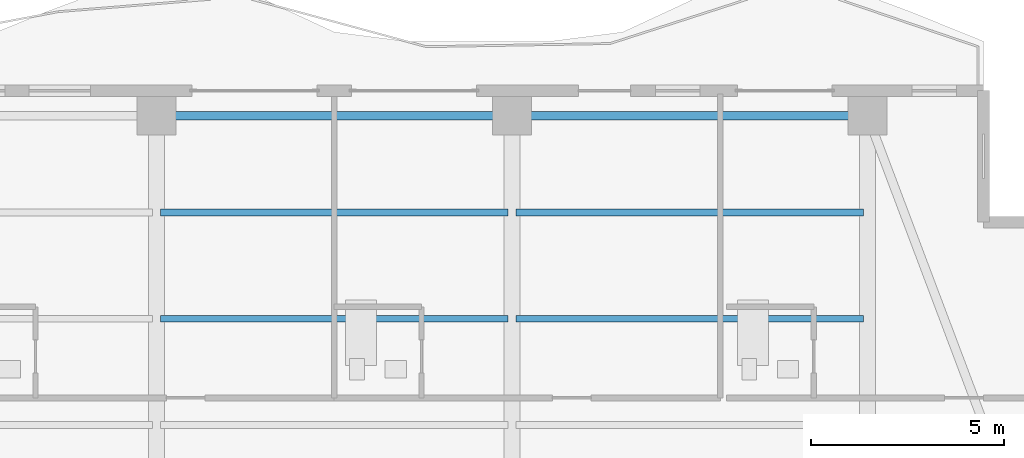
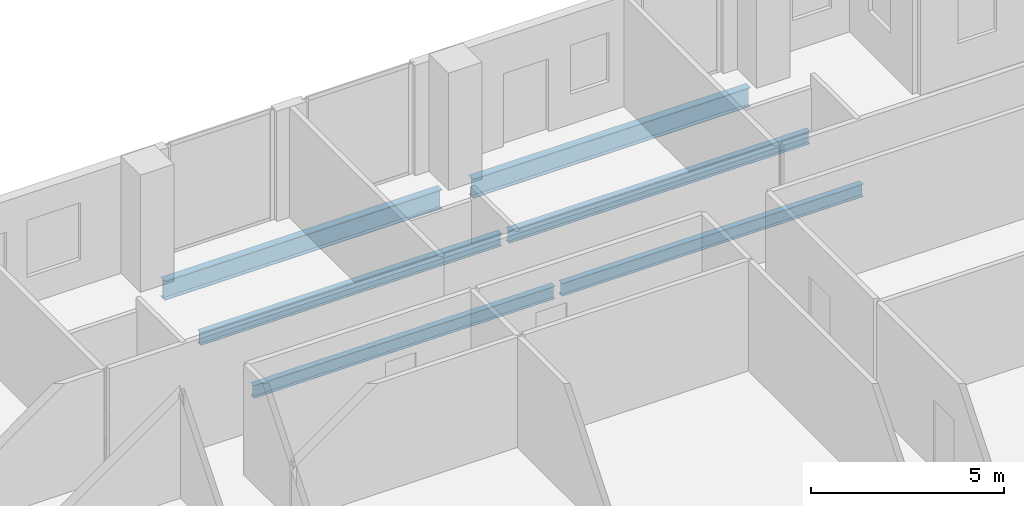
# One storey, part 14 of 26: 6 beams.
"""IFC4 building model written with IfcOpenShell, lengths in metres."""

from ifc_helpers import new_model, si_unit, direction, frame, origin, origin_2d, place, context, subcontext, project, spatial, i_section, extrude, material, material_profile, profile_set, type_object, element, save


model = new_model("IFC4")

# Units and contexts
model_context = context("Model", 3, precision=1e-05, world=origin(), true_north=direction((0.0, 1.0)))
body_context = subcontext(model_context, "Body", "Model", "MODEL_VIEW")
ifc_project = project(units=[si_unit("LENGTHUNIT", "METRE"), si_unit("AREAUNIT", "SQUARE_METRE"), si_unit("VOLUMEUNIT", "CUBIC_METRE"), si_unit("PLANEANGLEUNIT", "RADIAN"), si_unit("MASSUNIT", "GRAM", prefix="KILO")], contexts=[model_context])

# Site, building, storey
site_placement = place(None, origin())
site = spatial("IfcSite", under=ifc_project, at=site_placement, CompositionType="ELEMENT")
building_placement = place(site_placement, origin())
building = spatial("IfcBuilding", under=site, at=building_placement, Name="Zuhayl Quay Hotel", CompositionType="ELEMENT")
storey_placement = place(building_placement, frame((0.0, 0.0, 254.449951171875)))
storey = spatial("IfcBuildingStorey", under=building, at=storey_placement, Name="L64", CompositionType="ELEMENT", Elevation=254.449951171875)

# Beams
ifc_material = material(Name="Steel ASTM A992 Grade 50", Category="steel")
ifc_material_profile_1 = material_profile(ifc_material, i_section(OverallWidth=0.22802734375, OverallDepth=0.60693359375, WebThickness=0.01123046875, FlangeThickness=0.017333984375, at=origin_2d()), Name="W24X76")
ifc_profile_set_1 = profile_set([ifc_material_profile_1], Name="Steel ASTM A992 Grade 50")
beam_type_1 = type_object("IfcBeamType", Name="BM_B3_W24X76", PredefinedType="BEAM", material=ifc_profile_set_1)
beam_1_placement = place(storey_placement, frame((13.340087890625, 38.35009765625, -0.5234375), z_axis=(-1.0, 0.0, 0.0), x_axis=(0.0, -1.0, 0.0)))
element("IfcBeam", 1, at=beam_1_placement, inside=storey, type_object=beam_type_1, Name="L64 Floor Beam RG_L64_07", PredefinedType="BEAM", context=body_context, shape_type="SweptSolid", body=[
    extrude(i_section(OverallWidth=0.22802734375, OverallDepth=0.60693359375, WebThickness=0.01123046875, FlangeThickness=0.017333984375, at=origin_2d()), origin(), (0.0, 0.0, 1.0), 8.280029296875),
])
beam_2_placement = place(storey_placement, frame((4.139892578125, 38.35009765625, -0.5234375), z_axis=(-1.0, 0.0, 0.0), x_axis=(0.0, -1.0, 0.0)))
element("IfcBeam", 2, at=beam_2_placement, inside=storey, type_object=beam_type_1, Name="L64 Floor Beam RG_L64_08", PredefinedType="BEAM", context=body_context, shape_type="SweptSolid", body=[
    extrude(i_section(OverallWidth=0.22802734375, OverallDepth=0.60693359375, WebThickness=0.01123046875, FlangeThickness=0.017333984375, at=origin_2d()), origin(), (0.0, 0.0, 1.0), 8.27978515625),
])
ifc_material_profile_2 = material_profile(ifc_material, i_section(OverallWidth=0.177978515625, OverallDepth=0.404052734375, WebThickness=0.007568359375, FlangeThickness=0.010986328125, at=origin_2d()), Name="W16X36")
ifc_profile_set_2 = profile_set([ifc_material_profile_2], Name="Steel ASTM A992 Grade 50")
beam_type_2 = type_object("IfcBeamType", Name="BM_J3_W16X36", PredefinedType="JOIST", material=ifc_profile_set_2)
beam_3_placement = place(storey_placement, frame((-4.493896484375, 33.10009765625, -0.421875), z_axis=(1.0, 0.0, 0.0), x_axis=(0.0, 1.0, 0.0)))
element("IfcBeam", 3, at=beam_3_placement, inside=storey, type_object=beam_type_2, Name="L64 Floor Beam FJ_L64_7_2", PredefinedType="JOIST", context=body_context, shape_type="SweptSolid", body=[
    extrude(i_section(OverallWidth=0.177978515625, OverallDepth=0.404052734375, WebThickness=0.007568359375, FlangeThickness=0.010986328125, at=origin_2d()), origin(), (0.0, 0.0, 1.0), 8.98779296875),
])
beam_4_placement = place(storey_placement, frame((4.7060546875, 33.10009765625, -0.421875), z_axis=(1.0, 0.0, 0.0), x_axis=(0.0, 1.0, 0.0)))
element("IfcBeam", 4, at=beam_4_placement, inside=storey, type_object=beam_type_2, Name="L64 Floor Beam FJ_L64_7_3", PredefinedType="JOIST", context=body_context, shape_type="SweptSolid", body=[
    extrude(i_section(OverallWidth=0.177978515625, OverallDepth=0.404052734375, WebThickness=0.007568359375, FlangeThickness=0.010986328125, at=origin_2d()), origin(), (0.0, 0.0, 1.0), 8.988037109375),
])
beam_5_placement = place(storey_placement, frame((-4.493896484375, 35.85009765625, -0.421875), z_axis=(1.0, 0.0, 0.0), x_axis=(0.0, 1.0, 0.0)))
element("IfcBeam", 5, at=beam_5_placement, inside=storey, type_object=beam_type_2, Name="L64 Floor Beam FJ_L64_8_2", PredefinedType="JOIST", context=body_context, shape_type="SweptSolid", body=[
    extrude(i_section(OverallWidth=0.177978515625, OverallDepth=0.404052734375, WebThickness=0.007568359375, FlangeThickness=0.010986328125, at=origin_2d()), origin(), (0.0, 0.0, 1.0), 8.98779296875),
])
beam_6_placement = place(storey_placement, frame((4.7060546875, 35.85009765625, -0.421875), z_axis=(1.0, 0.0, 0.0), x_axis=(0.0, 1.0, 0.0)))
element("IfcBeam", 6, at=beam_6_placement, inside=storey, type_object=beam_type_2, Name="L64 Floor Beam FJ_L64_8_3", PredefinedType="JOIST", context=body_context, shape_type="SweptSolid", body=[
    extrude(i_section(OverallWidth=0.177978515625, OverallDepth=0.404052734375, WebThickness=0.007568359375, FlangeThickness=0.010986328125, at=origin_2d()), origin(), (0.0, 0.0, 1.0), 8.988037109375),
])

save(model, "model.ifc")
